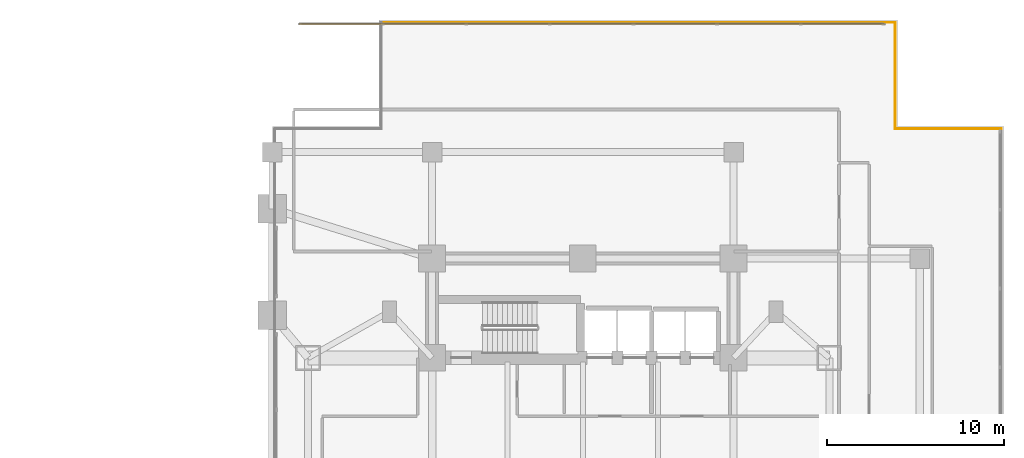
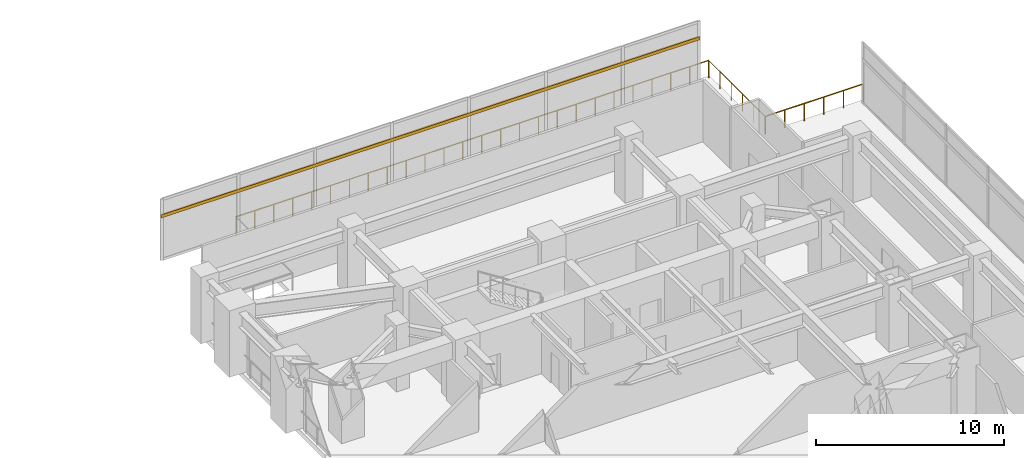
# One storey, part 31 of 31: 3 railings, 1 shading device.
"""IFC4 building model written with IfcOpenShell, lengths in metres."""

from ifc_helpers import new_model, si_unit, direction, frame, origin, origin_2d, place, context, subcontext, project, spatial, rectangle, circle, extrude, material, material_profile, profile_set, type_object, element, save


model = new_model("IFC4")

# Units and contexts
model_context = context("Model", 3, precision=1e-05, world=origin(), true_north=direction((0.0, 1.0)))
body_context = subcontext(model_context, "Body", "Model", "MODEL_VIEW")
ifc_project = project(units=[si_unit("LENGTHUNIT", "METRE"), si_unit("AREAUNIT", "SQUARE_METRE"), si_unit("VOLUMEUNIT", "CUBIC_METRE"), si_unit("PLANEANGLEUNIT", "RADIAN"), si_unit("MASSUNIT", "GRAM", prefix="KILO")], contexts=[model_context])

# Site, building, storey
site_placement = place(None, origin())
site = spatial("IfcSite", under=ifc_project, at=site_placement, CompositionType="ELEMENT")
building_placement = place(site_placement, origin())
building = spatial("IfcBuilding", under=site, at=building_placement, Name="Mirazonda Arch Towers", CompositionType="ELEMENT")
storey_placement = place(building_placement, frame((0.0, 0.0, 5.199951171875)))
storey = spatial("IfcBuildingStorey", under=building, at=storey_placement, Name="L01", CompositionType="ELEMENT", Elevation=5.199951171875)

# Shading device
ifc_material_1 = material(Name="Kiln-Fired Architectural Terracotta", Category="masonry")
ifc_material_profile = material_profile(ifc_material_1, rectangle(XDim=0.10009765625, YDim=0.199951171875, at=origin_2d()), Name="TERRA-BAG-100x200")
ifc_profile_set = profile_set([ifc_material_profile], Name="Kiln-Fired Architectural Terracotta")
shading_device_type = type_object("IfcShadingDeviceType", Name="BAGUETTE-2", PredefinedType="USERDEFINED", material=ifc_profile_set)
shading_device_placement = place(storey_placement, frame((60.5, 54.030029296875, 2.851318359375), z_axis=(1.0, 0.0, 0.0), x_axis=(0.0, 1.0, 0.0)))
element("IfcShadingDevice", 1, at=shading_device_placement, inside=storey, type_object=shading_device_type, Name="L01 Glazed Terracotta Sun-Screen Baguette CW-L01-EN", ObjectType="BAGUETTE", PredefinedType="USERDEFINED", context=body_context, shape_type="SweptSolid", body=[
    extrude(rectangle(XDim=0.10009765625, YDim=0.199951171875, at=origin_2d()), origin(), (0.0, 0.0, 1.0), 33.0),
])

# Railings
ifc_material_2 = material(Name="Architectural Brushed Steel S355", Category="steel")
railing_type = type_object("IfcRailingType", Name="GUARD-EXT-1150", PredefinedType="GUARDRAIL", material=ifc_material_2)
railing_1_placement = place(storey_placement, frame((100.110107421875, 48.110107421875, 0.0)))
element("IfcRailing", 2, at=railing_1_placement, inside=storey, type_object=railing_type, Name="L01 L01 East Podium Perimeter Guard 05", PredefinedType="GUARDRAIL", context=body_context, shape_type="SweptSolid", body=[
    extrude(circle(Radius=0.02392578125, at=origin_2d()), frame((0.0, 0.0, 1.1259765625), z_axis=(-1.0, 0.0, 0.0), x_axis=(0.0, -1.0, 0.0)), (0.0, 0.0, 1.0), 6.0),
    extrude(circle(Radius=0.02099609375, at=origin_2d()), origin(), (0.0, 0.0, 1.0), 1.101806640625),
    extrude(circle(Radius=0.02099609375, at=origin_2d()), frame((-1.199951171875, 0.0, 0.0)), (0.0, 0.0, 1.0), 1.101806640625),
    extrude(circle(Radius=0.02099609375, at=origin_2d()), frame((-2.39990234375, 0.0, 0.0)), (0.0, 0.0, 1.0), 1.101806640625),
    extrude(circle(Radius=0.02099609375, at=origin_2d()), frame((-3.60009765625, 0.0, 0.0)), (0.0, 0.0, 1.0), 1.101806640625),
    extrude(circle(Radius=0.02099609375, at=origin_2d()), frame((-4.800048828125, 0.0, 0.0)), (0.0, 0.0, 1.0), 1.101806640625),
    extrude(circle(Radius=0.02099609375, at=origin_2d()), frame((-6.0, 0.0, 0.0)), (0.0, 0.0, 1.0), 1.101806640625),
])
railing_2_placement = place(storey_placement, frame((94.110107421875, 48.110107421875, 0.0)))
element("IfcRailing", 3, at=railing_2_placement, inside=storey, type_object=railing_type, Name="L01 L01 East Podium Perimeter Guard 06", PredefinedType="GUARDRAIL", context=body_context, shape_type="SweptSolid", body=[
    extrude(circle(Radius=0.02392578125, at=origin_2d()), frame((0.0, 0.0, 1.1259765625), z_axis=(0.0, 1.0, 0.0), x_axis=(-1.0, 0.0, 0.0)), (0.0, 0.0, 1.0), 6.0),
    extrude(circle(Radius=0.02099609375, at=origin_2d()), origin(), (0.0, 0.0, 1.0), 1.101806640625),
    extrude(circle(Radius=0.02099609375, at=origin_2d()), frame((0.0, 1.199951171875, 0.0)), (0.0, 0.0, 1.0), 1.101806640625),
    extrude(circle(Radius=0.02099609375, at=origin_2d()), frame((0.0, 2.39990234375, 0.0)), (0.0, 0.0, 1.0), 1.101806640625),
    extrude(circle(Radius=0.02099609375, at=origin_2d()), frame((0.0, 3.60009765625, 0.0)), (0.0, 0.0, 1.0), 1.101806640625),
    extrude(circle(Radius=0.02099609375, at=origin_2d()), frame((0.0, 4.800048828125, 0.0)), (0.0, 0.0, 1.0), 1.101806640625),
    extrude(circle(Radius=0.02099609375, at=origin_2d()), frame((0.0, 6.0, 0.0)), (0.0, 0.0, 1.0), 1.101806640625),
])
railing_3_placement = place(storey_placement, frame((94.110107421875, 54.110107421875, 0.0)))
element("IfcRailing", 4, at=railing_3_placement, inside=storey, type_object=railing_type, Name="L01 L01 East Podium Perimeter Guard 07", PredefinedType="GUARDRAIL", context=body_context, shape_type="SweptSolid", body=[
    extrude(circle(Radius=0.02392578125, at=origin_2d()), frame((0.0, 0.0, 1.1259765625), z_axis=(-1.0, 0.0, 0.0), x_axis=(0.0, -1.0, 0.0)), (0.0, 0.0, 1.0), 28.97021484375),
    extrude(circle(Radius=0.02099609375, at=origin_2d()), origin(), (0.0, 0.0, 1.0), 1.101806640625),
    extrude(circle(Radius=0.02099609375, at=origin_2d()), frame((-1.15869140625, 0.0, 0.0)), (0.0, 0.0, 1.0), 1.101806640625),
    extrude(circle(Radius=0.02099609375, at=origin_2d()), frame((-2.317626953125, 0.0, 0.0)), (0.0, 0.0, 1.0), 1.101806640625),
    extrude(circle(Radius=0.02099609375, at=origin_2d()), frame((-3.476318359375, 0.0, 0.0)), (0.0, 0.0, 1.0), 1.101806640625),
    extrude(circle(Radius=0.02099609375, at=origin_2d()), frame((-4.63525390625, 0.0, 0.0)), (0.0, 0.0, 1.0), 1.101806640625),
    extrude(circle(Radius=0.02099609375, at=origin_2d()), frame((-5.7939453125, 0.0, 0.0)), (0.0, 0.0, 1.0), 1.101806640625),
    extrude(circle(Radius=0.02099609375, at=origin_2d()), frame((-6.952880859375, 0.0, 0.0)), (0.0, 0.0, 1.0), 1.101806640625),
    extrude(circle(Radius=0.02099609375, at=origin_2d()), frame((-8.111572265625, 0.0, 0.0)), (0.0, 0.0, 1.0), 1.101806640625),
    extrude(circle(Radius=0.02099609375, at=origin_2d()), frame((-9.2705078125, 0.0, 0.0)), (0.0, 0.0, 1.0), 1.101806640625),
    extrude(circle(Radius=0.02099609375, at=origin_2d()), frame((-10.42919921875, 0.0, 0.0)), (0.0, 0.0, 1.0), 1.101806640625),
    extrude(circle(Radius=0.02099609375, at=origin_2d()), frame((-11.588134765625, 0.0, 0.0)), (0.0, 0.0, 1.0), 1.101806640625),
    extrude(circle(Radius=0.02099609375, at=origin_2d()), frame((-12.746826171875, 0.0, 0.0)), (0.0, 0.0, 1.0), 1.101806640625),
    extrude(circle(Radius=0.02099609375, at=origin_2d()), frame((-13.90576171875, 0.0, 0.0)), (0.0, 0.0, 1.0), 1.101806640625),
    extrude(circle(Radius=0.02099609375, at=origin_2d()), frame((-15.064453125, 0.0, 0.0)), (0.0, 0.0, 1.0), 1.101806640625),
    extrude(circle(Radius=0.02099609375, at=origin_2d()), frame((-16.223388671875, 0.0, 0.0)), (0.0, 0.0, 1.0), 1.101806640625),
    extrude(circle(Radius=0.02099609375, at=origin_2d()), frame((-17.382080078125, 0.0, 0.0)), (0.0, 0.0, 1.0), 1.101806640625),
    extrude(circle(Radius=0.02099609375, at=origin_2d()), frame((-18.541015625, 0.0, 0.0)), (0.0, 0.0, 1.0), 1.101806640625),
    extrude(circle(Radius=0.02099609375, at=origin_2d()), frame((-19.69970703125, 0.0, 0.0)), (0.0, 0.0, 1.0), 1.101806640625),
    extrude(circle(Radius=0.02099609375, at=origin_2d()), frame((-20.858642578125, 0.0, 0.0)), (0.0, 0.0, 1.0), 1.101806640625),
    extrude(circle(Radius=0.02099609375, at=origin_2d()), frame((-22.017333984375, 0.0, 0.0)), (0.0, 0.0, 1.0), 1.101806640625),
    extrude(circle(Radius=0.02099609375, at=origin_2d()), frame((-23.17626953125, 0.0, 0.0)), (0.0, 0.0, 1.0), 1.101806640625),
    extrude(circle(Radius=0.02099609375, at=origin_2d()), frame((-24.3349609375, 0.0, 0.0)), (0.0, 0.0, 1.0), 1.101806640625),
    extrude(circle(Radius=0.02099609375, at=origin_2d()), frame((-25.493896484375, 0.0, 0.0)), (0.0, 0.0, 1.0), 1.101806640625),
    extrude(circle(Radius=0.02099609375, at=origin_2d()), frame((-26.652587890625, 0.0, 0.0)), (0.0, 0.0, 1.0), 1.101806640625),
    extrude(circle(Radius=0.02099609375, at=origin_2d()), frame((-27.8115234375, 0.0, 0.0)), (0.0, 0.0, 1.0), 1.101806640625),
    extrude(circle(Radius=0.02099609375, at=origin_2d()), frame((-28.97021484375, 0.0, 0.0)), (0.0, 0.0, 1.0), 1.101806640625),
])

save(model, "model.ifc")
